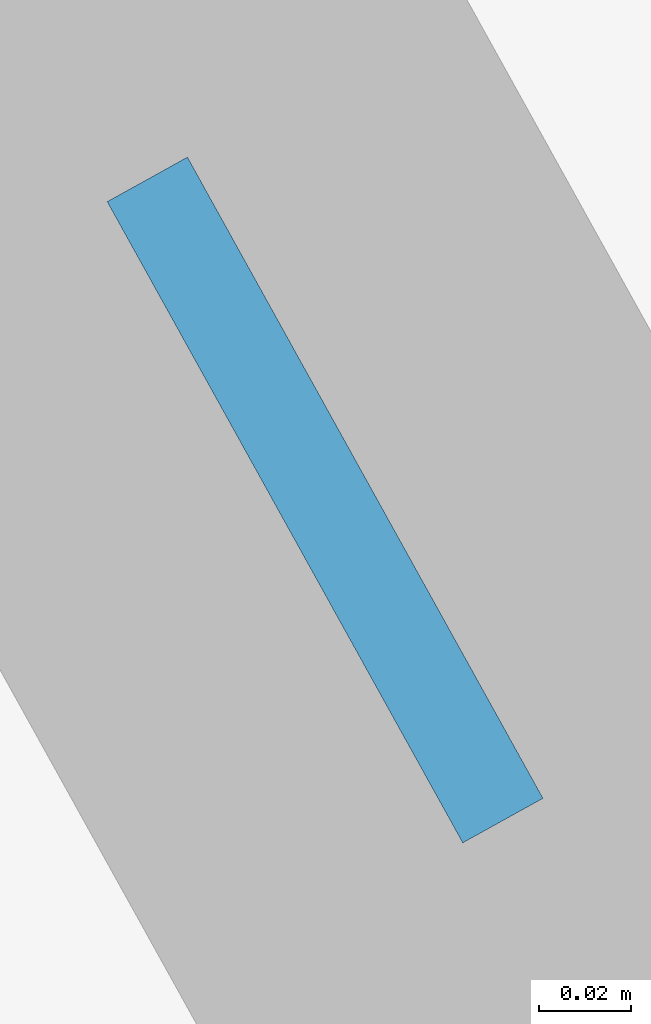
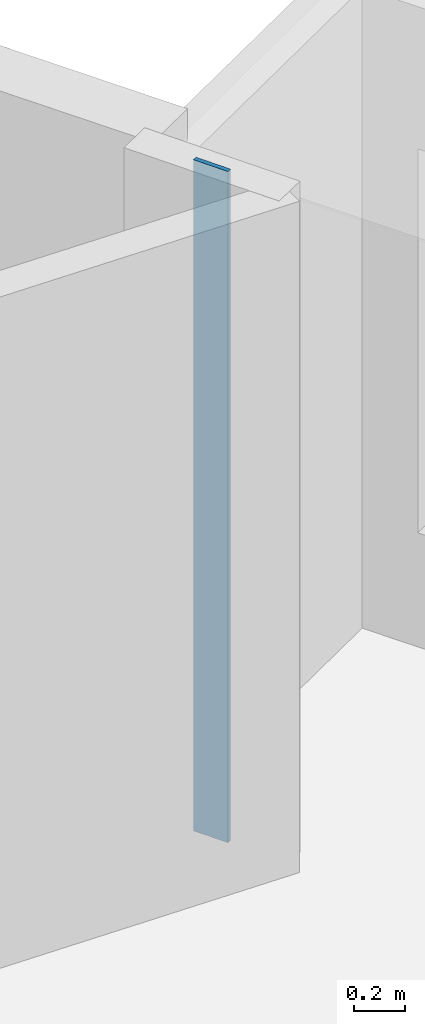
# One storey, part 4 of 10: 1 plate.
"""IFC4 building model written with IfcOpenShell, lengths in metres."""

from ifc_helpers import new_model, si_unit, direction, frame, origin, origin_2d, place, context, subcontext, project, spatial, rectangle, extrude, material, layer, layer_set, type_object, element, save


model = new_model("IFC4")

# Units and contexts
model_context = context("Model", 3, precision=1e-05, world=origin(), true_north=direction((0.0, 1.0)))
body_context = subcontext(model_context, "Body", "Model", "MODEL_VIEW")
ifc_project = project(units=[si_unit("LENGTHUNIT", "METRE"), si_unit("AREAUNIT", "SQUARE_METRE"), si_unit("VOLUMEUNIT", "CUBIC_METRE"), si_unit("PLANEANGLEUNIT", "RADIAN"), si_unit("MASSUNIT", "GRAM", prefix="KILO")], contexts=[model_context])

# Site, building, storey
site_placement = place(None, origin())
site = spatial("IfcSite", under=ifc_project, at=site_placement, CompositionType="ELEMENT")
building_placement = place(site_placement, origin())
building = spatial("IfcBuilding", under=site, at=building_placement, Name="Miruveldt Soraemaru", CompositionType="ELEMENT")
storey_placement = place(building_placement, frame((0.0, 0.0, 166.89990234375)))
storey = spatial("IfcBuildingStorey", under=building, at=storey_placement, Name="L46", CompositionType="ELEMENT", Elevation=166.89990234375)

# Plate
ifc_material = material(Name="Anodised aluminium EN AW-6063 T6", Category="aluminium")
ifc_layer = layer(ifc_material, 0.02001953125, Name="Anodised aluminium EN AW-6063 T6", Category="aluminium")
ifc_layer_set = layer_set([ifc_layer], Name="Anodised aluminium EN AW-6063 T6")
plate_type = type_object("IfcPlateType", Name="PLT-PART-TRIM", PredefinedType="SHEET", material=ifc_layer_set)
plate_placement = place(storey_placement, frame((56.82568359375, 54.87744140625, 0.0), z_axis=(0.0, 0.0, 1.0), x_axis=(-0.484962262797, 0.874535078577, 0.0)))
element("IfcPlate", 1, at=plate_placement, inside=storey, type_object=plate_type, Name="L46 Partition Step Corner Trim Plate 002", PredefinedType="SHEET", context=body_context, shape_type="SweptSolid", body=[
    extrude(rectangle(XDim=0.159912109375, YDim=0.02001953125, at=origin_2d()), origin(), (0.0, 0.0, 1.0), 3.235107421875),
])

save(model, "model.ifc")
